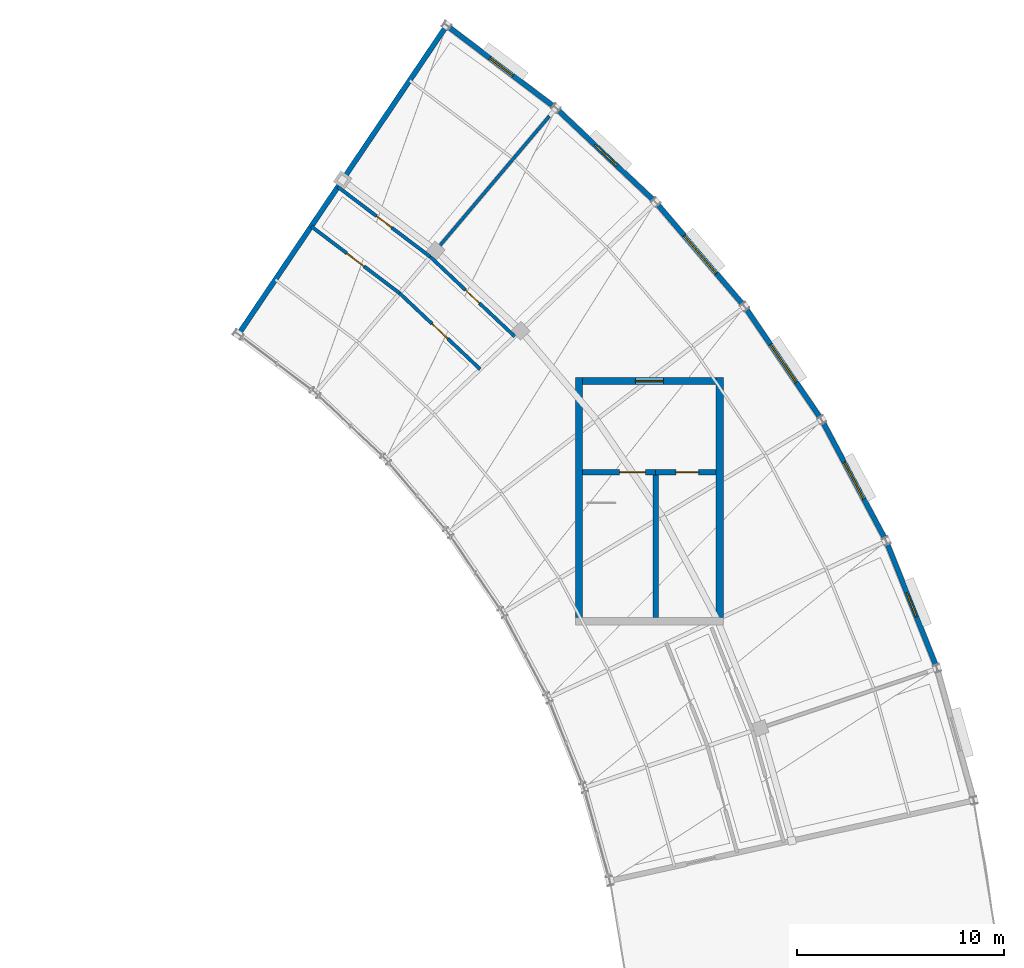
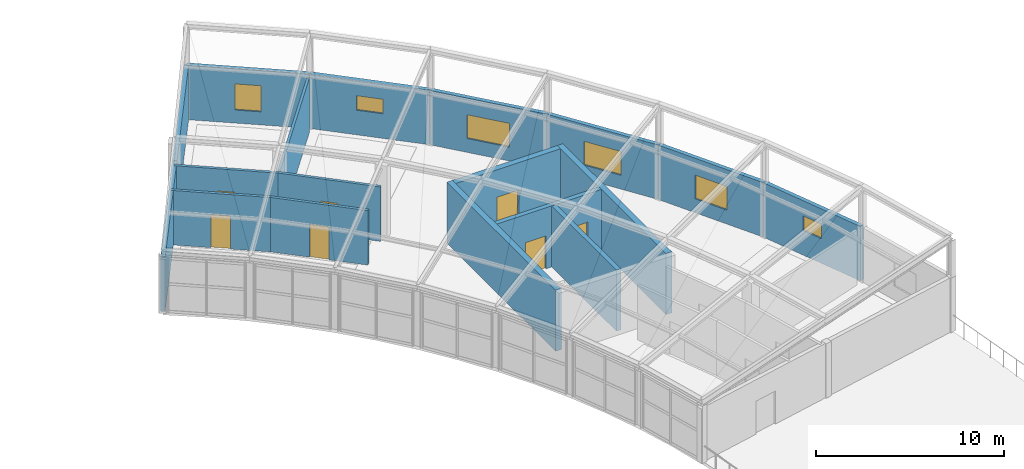
# One storey, part 29 of 36: 19 walls, 7 doors, 6 windows, 13 openings.
"""IFC4 building model written with IfcOpenShell, lengths in metres."""

import ifcopenshell
import ifcopenshell.guid

model = None  # the IFC model being written
_history = None  # IfcOwnerHistory: only IFC2X3 demands one
_inside = {}  # id of a spatial element -> (the spatial element, [elements in it])
_under = {}  # id of a project, library or spatial element -> (it, [spatial elements below it])
_declared = {}  # id of a project -> (the project, [libraries it declares])
_typed = {}  # id of a type object -> (the type object, [elements of that type])
_made_of = {}  # id of a material, layer set ... -> (it, [elements and type objects made of it])


def new_model(schema):
    """Start an empty IFC model of exactly this schema.

    Asked for "IFC4X3", IfcOpenShell would pick the latest addendum, in which some entities
    have other attributes; the version numbers below select the first issue.
    IFC2X3 requires an IfcOwnerHistory on every rooted entity: one is made here for all.
    """
    global model, _history
    if schema == "IFC4X3":
        model = ifcopenshell.file(schema_version=(4, 3, 0, 0))
    else:
        model = ifcopenshell.file(schema=schema)
    _inside.clear()
    _under.clear()
    _declared.clear()
    _typed.clear()
    _made_of.clear()
    _history = None
    if model.schema == "IFC2X3":
        org = make("IfcOrganization", Name="unknown")
        user = make(
            "IfcPersonAndOrganization",
            ThePerson=make("IfcPerson", FamilyName="unknown"),
            TheOrganization=org,
        )
        app = make(
            "IfcApplication",
            ApplicationDeveloper=org,
            Version="unknown",
            ApplicationFullName="unknown",
            ApplicationIdentifier="unknown",
        )
        _history = make(
            "IfcOwnerHistory",
            OwningUser=user,
            OwningApplication=app,
            ChangeAction="ADDED",
            CreationDate=0,
        )
    return model


def make(cls, **values):
    """One entity of the class cls with the attributes given. An attribute that is None is left unset."""
    return model.create_entity(
        cls, **{name: value for name, value in values.items() if value is not None}
    )


def rooted(cls, **values):
    """An entity with a GlobalId (a new one), such as an element, a storey or a relation."""
    return make(cls, GlobalId=ifcopenshell.guid.new(), OwnerHistory=_history, **values)


def si_unit(unit_type, name, prefix=None):
    """IfcSIUnit, for example si_unit("LENGTHUNIT", "METRE", prefix="MILLI")."""
    return make("IfcSIUnit", UnitType=unit_type, Prefix=prefix, Name=name)


def assignment(units):
    """IfcUnitAssignment: the units of a project."""
    return None if units is None else make("IfcUnitAssignment", Units=units)


def point(xyz):
    """IfcCartesianPoint."""
    return None if xyz is None else make("IfcCartesianPoint", Coordinates=xyz)


def direction(xyz):
    """IfcDirection."""
    return None if xyz is None else make("IfcDirection", DirectionRatios=xyz)


def frame(location, z_axis=None, x_axis=None):
    """IfcAxis2Placement3D, a coordinate frame: its origin and axes. An axis left out is left unset."""
    return make(
        "IfcAxis2Placement3D",
        Location=point(location),
        Axis=direction(z_axis),
        RefDirection=direction(x_axis),
    )


def frame_2d(location, x_axis=None):
    """IfcAxis2Placement2D, a coordinate frame in the plane: its origin and x axis."""
    return make(
        "IfcAxis2Placement2D", Location=point(location), RefDirection=direction(x_axis)
    )


def origin():
    """The frame at (0, 0, 0) with its axes left unset."""
    return frame((0.0, 0.0, 0.0))


def place(relative_to, where):
    """IfcLocalPlacement: puts the frame where relative to a parent placement (None: the world)."""
    return make(
        "IfcLocalPlacement", PlacementRelTo=relative_to, RelativePlacement=where
    )


def context(
    kind, dimensions, precision=None, world=None, true_north=None, identifier=None
):
    """IfcGeometricRepresentationContext, for example the 3D "Model" context."""
    return make(
        "IfcGeometricRepresentationContext",
        ContextIdentifier=identifier,
        ContextType=kind,
        CoordinateSpaceDimension=dimensions,
        Precision=precision,
        WorldCoordinateSystem=world,
        TrueNorth=true_north,
    )


def subcontext(parent, identifier, kind, view, scale=None):
    """IfcGeometricRepresentationSubContext, for example "Body" below "Model"."""
    return make(
        "IfcGeometricRepresentationSubContext",
        ContextIdentifier=identifier,
        ContextType=kind,
        ParentContext=parent,
        TargetScale=scale,
        TargetView=view,
    )


def project(units=None, contexts=None):
    """IfcProject with its units and contexts."""
    return rooted(
        "IfcProject",
        Name="project",
        RepresentationContexts=contexts,
        UnitsInContext=assignment(units),
    )


def spatial(cls, under=None, at=None, **own):
    """A site, building, storey or space (cls), placed at a placement, below another one or the project."""
    s = rooted(cls, ObjectPlacement=at, **own)
    if under is not None:
        _under.setdefault(under.id(), (under, []))[1].append(s)
    return s


def profile(cls, at=None, kind="AREA", **sizes):
    """A parametric profile (cls). Its sizes go by their IFC names, for example OverallWidth=200.0."""
    return make(cls, ProfileType=kind, Position=at, **sizes)


def rectangle(**sizes):
    """IfcRectangleProfileDef."""
    return profile("IfcRectangleProfileDef", **sizes)


def extrude(swept, where, along, depth):
    """IfcExtrudedAreaSolid: the profile swept, set in the frame where, extruded along a direction by depth."""
    return make(
        "IfcExtrudedAreaSolid",
        SweptArea=swept,
        Position=where,
        ExtrudedDirection=direction(along),
        Depth=depth,
    )


def shape(context_of_items, identifier, shape_type, items):
    """IfcShapeRepresentation: the items that make up one representation, for example the "Body"."""
    return make(
        "IfcShapeRepresentation",
        ContextOfItems=context_of_items,
        RepresentationIdentifier=identifier,
        RepresentationType=shape_type,
        Items=items,
    )


def material(Name=None, Category=None):
    """IfcMaterial."""
    return make("IfcMaterial", Name=Name, Category=Category)


def layer(
    of_material, thickness, ventilated=None, Name=None, Category=None, Priority=None
):
    """IfcMaterialLayer: one layer of a wall or slab, of a material (None: an air gap)."""
    return make(
        "IfcMaterialLayer",
        Material=of_material,
        LayerThickness=thickness,
        IsVentilated=ventilated,
        Name=Name,
        Category=Category,
        Priority=Priority,
    )


def layer_set(layers, Name=None):
    """IfcMaterialLayerSet."""
    return make("IfcMaterialLayerSet", MaterialLayers=layers, LayerSetName=Name)


def made_of(thing, what):
    """Note that an element or type object is made of a material, layer set ...; save() writes the relation."""
    if what is not None:
        _made_of.setdefault(what.id(), (what, []))[1].append(thing)
    return thing


def type_object(cls, material=None, **own):
    """A type object (cls), such as IfcWallType, which elements share."""
    return made_of(rooted(cls, **own), material)


def element(
    cls,
    number,
    at=None,
    inside=None,
    cuts=None,
    type_object=None,
    material=None,
    context=None,
    identifier="Body",
    shape_type=None,
    held_by="IfcProductDefinitionShape",
    body=None,
    shapes=None,
    **own,
):
    """One element of the class cls, such as IfcWall. Its Tag is "e" and its number.

    at: its placement. inside: the storey or other place that contains it. cuts: it is an
    opening in that element (IfcRelVoidsElement). A single representation is given by context,
    identifier, shape_type and body (its items); several are given by shapes. held_by: the class
    of the entity that holds the representations. save() writes the other relations.
    """
    e = rooted(cls, Tag="e%d" % number, ObjectPlacement=at, **own)
    if body is not None:
        shapes = [shape(context, identifier, shape_type, body)]
    if shapes is not None:
        e.Representation = make(held_by, Representations=shapes)
    if inside is not None:
        _inside.setdefault(inside.id(), (inside, []))[1].append(e)
    if cuts is not None:
        rooted(
            "IfcRelVoidsElement", RelatingBuildingElement=cuts, RelatedOpeningElement=e
        )
    if type_object is not None:
        _typed.setdefault(type_object.id(), (type_object, []))[1].append(e)
    return made_of(e, material)


def fill(opening, filler):
    """IfcRelFillsElement: the door or window that sits in an opening."""
    return rooted(
        "IfcRelFillsElement",
        RelatingOpeningElement=opening,
        RelatedBuildingElement=filler,
    )


def aggregate(whole, parts):
    """IfcRelAggregates: a whole, such as a stair, and the parts it consists of."""
    return rooted("IfcRelAggregates", RelatingObject=whole, RelatedObjects=parts)


def save(model, path):
    """Write the relations noted so far, then the file.

    IfcRelAggregates (storeys below a building ...), IfcRelContainedInSpatialStructure (elements
    in a storey), IfcRelDefinesByType, IfcRelAssociatesMaterial and IfcRelDeclares: one each for
    every whole, place, type object, material and project.
    """
    for whole, parts in _under.values():
        aggregate(whole, parts)
    for where, things in _inside.values():
        rooted(
            "IfcRelContainedInSpatialStructure",
            RelatedElements=things,
            RelatingStructure=where,
        )
    for kind, things in _typed.values():
        rooted("IfcRelDefinesByType", RelatedObjects=things, RelatingType=kind)
    for what, things in _made_of.values():
        rooted("IfcRelAssociatesMaterial", RelatedObjects=things, RelatingMaterial=what)
    for by, libraries in _declared.values():
        rooted("IfcRelDeclares", RelatingContext=by, RelatedDefinitions=libraries)
    model.write(path)


model = new_model("IFC4")

# Units and contexts
model_context = context("Model", 3, precision=1e-05, world=origin(), true_north=direction((0.0, 1.0)))
body_context = subcontext(model_context, "Body", "Model", "MODEL_VIEW")
ifc_project = project(units=[si_unit("LENGTHUNIT", "METRE"), si_unit("AREAUNIT", "SQUARE_METRE"), si_unit("VOLUMEUNIT", "CUBIC_METRE"), si_unit("PLANEANGLEUNIT", "RADIAN"), si_unit("MASSUNIT", "GRAM", prefix="KILO")], contexts=[model_context])

# Site, building, storey
site_placement = place(None, origin())
site = spatial("IfcSite", under=ifc_project, at=site_placement, CompositionType="ELEMENT")
building_placement = place(site_placement, origin())
building = spatial("IfcBuilding", under=site, at=building_placement, Name="Tarnveldt Headland Concert Hall", CompositionType="ELEMENT")
storey_placement = place(building_placement, frame((0.0, 0.0, 22.800048828125)))
storey = spatial("IfcBuildingStorey", under=building, at=storey_placement, Name="L05", CompositionType="ELEMENT", Elevation=22.800048828125)

# Wall, opening, door
ifc_material_1 = material(Name="Concrete C40/50", Category="concrete")
ifc_layer_1 = layer(ifc_material_1, 0.35009765625, Name="Concrete C40/50", Category="concrete")
ifc_layer_set_1 = layer_set([ifc_layer_1], Name="Concrete C40/50")
wall_type_1 = type_object("IfcWallType", Name="WL-CR350", PredefinedType="SHEAR", material=ifc_layer_set_1)
wall_1_placement = place(storey_placement, frame((158.175048828125, 93.39990234375, 0.0), z_axis=(0.0, 0.0, 1.0), x_axis=(1.0, 0.0, 0.0)))
wall_1 = element("IfcWall", 1, at=wall_1_placement, inside=storey, type_object=wall_type_1, Name="Core C3 north shear wall L05", PredefinedType="SHEAR", context=body_context, shape_type="SweptSolid", body=[
    extrude(rectangle(XDim=6.449951171875, YDim=0.35009765625, at=frame_2d((3.22509765625, 0.0))), origin(), (0.0, 0.0, 1.0), 3.97998046875),
])
opening_1_placement = place(wall_1_placement, frame((2.550048828125, 0.0, 0.0)))
opening_1 = element("IfcOpeningElement", 2, at=opening_1_placement, cuts=wall_1, Name="Opening FFD-C3-L05", PredefinedType="OPENING", context=body_context, shape_type="SweptSolid", body=[
    extrude(rectangle(XDim=1.35009765625, YDim=2.199951171875, at=frame_2d((0.675048828125, 1.10009765625))), frame((0.0, 0.18505859375, 0.0), z_axis=(0.0, -1.0, 0.0), x_axis=(1.0, 0.0, 0.0)), (0.0, 0.0, 1.0), 0.3701171875),
])
ifc_material_2 = material(Name="Galvanised painted steel sheet", Category="steel")
door_type_1 = type_object("IfcDoorType", Name="DR-FF135", OperationType="NOTDEFINED", PredefinedType="DOOR", material=ifc_material_2)
door_1_placement = place(opening_1_placement, origin())
door_1 = element("IfcDoor", 3, at=door_1_placement, inside=storey, type_object=door_type_1, Name="Core C3 firefighting lobby entrance door L05", OperationType="SINGLE_SWING_LEFT", OverallHeight=2.199951171875, OverallWidth=1.35009765625, PredefinedType="DOOR", context=body_context, shape_type="SweptSolid", body=[
    extrude(rectangle(XDim=1.35009765625, YDim=2.199951171875, at=frame_2d((0.675048828125, 1.10009765625))), frame((0.0, 0.02490234375, 0.0), z_axis=(0.0, -1.0, 0.0), x_axis=(1.0, 0.0, 0.0)), (0.0, 0.0, 1.0), 0.050048828125),
])
fill(opening_1, door_1)

# Walls
for number, where, z_axis, x_axis, name in (
    (4, (158.0, 81.97509765625, 0.0), (0.0, 0.0, 1.0), (0.0, 1.0, 0.0), "Core C3 west shear wall L05"),
    (5, (164.800048828125, 81.97509765625, 0.0), (0.0, 0.0, 1.0), (0.0, 1.0, 0.0), "Core C3 east shear wall L05"),
):
    element("IfcWall", number, at=place(storey_placement, frame(where, z_axis=z_axis, x_axis=x_axis)), inside=storey, type_object=wall_type_1, Name=name, PredefinedType="SHEAR", context=body_context, shape_type="SweptSolid", body=[
        extrude(rectangle(XDim=11.599853515625, YDim=0.35009765625, at=frame_2d((5.7998046875, 0.0))), origin(), (0.0, 0.0, 1.0), 3.97998046875),
    ])

# Wall, opening, window
ifc_material_3 = material(Name="Coral-toned precast concrete C40/50", Category="concrete")
ifc_layer_2 = layer(ifc_material_3, 0.239990234375, Name="Coral-toned precast concrete C40/50", Category="concrete")
ifc_layer_set_2 = layer_set([ifc_layer_2], Name="Coral-toned precast concrete C40/50")
wall_type_2 = type_object("IfcWallType", Name="WL-EX240", PredefinedType="SOLIDWALL", material=ifc_layer_set_2)
wall_2_placement = place(storey_placement, frame((172.842041015625, 85.65380859375, 0.0), z_axis=(0.0, 0.0, 1.0), x_axis=(0.371013273361, -0.928627563122, 0.0)))
wall_2 = element("IfcWall", 6, at=wall_2_placement, inside=storey, type_object=wall_type_2, Name="External precast wall L05-177", PredefinedType="SOLIDWALL", context=body_context, shape_type="SweptSolid", body=[
    extrude(rectangle(XDim=6.5810546875, YDim=0.239990234375, at=frame_2d((3.29052734375, 0.0))), origin(), (0.0, 0.0, 1.0), 3.54296875),
])
opening_2_placement = place(wall_2_placement, frame((2.66552734375, 0.0, 1.60009765625)))
opening_2 = element("IfcOpeningElement", 7, at=opening_2_placement, cuts=wall_2, Name="Opening W-C091", PredefinedType="OPENING", context=body_context, shape_type="SweptSolid", body=[
    extrude(rectangle(XDim=1.25, YDim=0.949951171875, at=frame_2d((0.625, 0.47509765625))), frame((0.0, 0.1298828125, 0.0), z_axis=(0.0, -1.0, 0.0), x_axis=(1.0, 0.0, 0.0)), (0.0, 0.0, 1.0), 0.260009765625),
])
ifc_material_4 = material(Name="Acoustic laminated low-iron double glazing", Category="glass")
window_type_1 = type_object("IfcWindowType", Name="WN-29", PartitioningType="SINGLE_PANEL", PredefinedType="WINDOW", material=ifc_material_4)
window_1_placement = place(opening_2_placement, origin())
window_1 = element("IfcWindow", 8, at=window_1_placement, inside=storey, type_object=window_type_1, Name="Crescent coastal studio window L05-13", OverallHeight=0.949951171875, OverallWidth=1.25, PartitioningType="SINGLE_PANEL", PredefinedType="WINDOW", context=body_context, shape_type="SweptSolid", body=[
    extrude(rectangle(XDim=1.25, YDim=0.949951171875, at=frame_2d((0.625, 0.47509765625))), frame((0.0, 0.030029296875, 0.0), z_axis=(0.0, -1.0, 0.0), x_axis=(1.0, 0.0, 0.0)), (0.0, 0.0, 1.0), 0.06005859375),
])
fill(opening_2, window_1)

wall_3_placement = place(storey_placement, frame((169.735595703125, 91.5009765625, 0.0), z_axis=(0.0, 0.0, 1.0), x_axis=(0.469465310576, -0.882950917189, 0.0)))
wall_3 = element("IfcWall", 9, at=wall_3_placement, inside=storey, type_object=wall_type_2, Name="External precast wall L05-178", PredefinedType="SOLIDWALL", context=body_context, shape_type="SweptSolid", body=[
    extrude(rectangle(XDim=6.5810546875, YDim=0.239990234375, at=frame_2d((3.29052734375, 0.0))), origin(), (0.0, 0.0, 1.0), 3.54296875),
])
opening_3_placement = place(wall_3_placement, frame((2.29052734375, 0.0, 0.89990234375)))
opening_3 = element("IfcOpeningElement", 10, at=opening_3_placement, cuts=wall_3, Name="Opening W-C092", PredefinedType="OPENING", context=body_context, shape_type="SweptSolid", body=[
    extrude(rectangle(XDim=2.0, YDim=1.550048828125, at=frame_2d((1.0, 0.77490234375))), frame((0.0, 0.1298828125, 0.0), z_axis=(0.0, -1.0, 0.0), x_axis=(1.0, 0.0, 0.0)), (0.0, 0.0, 1.0), 0.260009765625),
])
window_type_2 = type_object("IfcWindowType", Name="WN-06", PartitioningType="SINGLE_PANEL", PredefinedType="WINDOW", material=ifc_material_4)
window_2_placement = place(opening_3_placement, origin())
window_2 = element("IfcWindow", 11, at=window_2_placement, inside=storey, type_object=window_type_2, Name="Crescent coastal studio window L05-14", OverallHeight=1.550048828125, OverallWidth=2.0, PartitioningType="SINGLE_PANEL", PredefinedType="WINDOW", context=body_context, shape_type="SweptSolid", body=[
    extrude(rectangle(XDim=2.0, YDim=1.550048828125, at=frame_2d((1.0, 0.77490234375))), frame((0.0, 0.030029296875, 0.0), z_axis=(0.0, -1.0, 0.0), x_axis=(1.0, 0.0, 0.0)), (0.0, 0.0, 1.0), 0.06005859375),
])
fill(opening_3, window_2)

wall_4_placement = place(storey_placement, frame((166.013671875, 96.97705078125, 0.0), z_axis=(0.0, 0.0, 1.0), x_axis=(0.56240640933, -0.826860950067, 0.0)))
wall_4 = element("IfcWall", 12, at=wall_4_placement, inside=storey, type_object=wall_type_2, Name="External precast wall L05-179", PredefinedType="SOLIDWALL", context=body_context, shape_type="SweptSolid", body=[
    extrude(rectangle(XDim=6.581298828125, YDim=0.239990234375, at=frame_2d((3.29052734375, 0.0))), origin(), (0.0, 0.0, 1.0), 3.54296875),
])
opening_4_placement = place(wall_4_placement, frame((2.190673828125, 0.0, 0.89990234375)))
opening_4 = element("IfcOpeningElement", 13, at=opening_4_placement, cuts=wall_4, Name="Opening W-C093", PredefinedType="OPENING", context=body_context, shape_type="SweptSolid", body=[
    extrude(rectangle(XDim=2.199951171875, YDim=1.550048828125, at=frame_2d((1.10009765625, 0.77490234375))), frame((0.0, 0.1298828125, 0.0), z_axis=(0.0, -1.0, 0.0), x_axis=(1.0, 0.0, 0.0)), (0.0, 0.0, 1.0), 0.260009765625),
])
window_type_3 = type_object("IfcWindowType", Name="WN-07", PartitioningType="SINGLE_PANEL", PredefinedType="WINDOW", material=ifc_material_4)
window_3_placement = place(opening_4_placement, origin())
window_3 = element("IfcWindow", 14, at=window_3_placement, inside=storey, type_object=window_type_3, Name="Crescent coastal studio window L05-15", OverallHeight=1.550048828125, OverallWidth=2.199951171875, PartitioningType="SINGLE_PANEL", PredefinedType="WINDOW", context=body_context, shape_type="SweptSolid", body=[
    extrude(rectangle(XDim=2.199951171875, YDim=1.550048828125, at=frame_2d((1.10009765625, 0.77490234375))), frame((0.0, 0.030029296875, 0.0), z_axis=(0.0, -1.0, 0.0), x_axis=(1.0, 0.0, 0.0)), (0.0, 0.0, 1.0), 0.06005859375),
])
fill(opening_4, window_3)

wall_5_placement = place(storey_placement, frame((161.72021484375, 102.017333984375, 0.0), z_axis=(0.0, 0.0, 1.0), x_axis=(0.648708464949, -0.761037007973, 0.0)))
wall_5 = element("IfcWall", 15, at=wall_5_placement, inside=storey, type_object=wall_type_2, Name="External precast wall L05-180", PredefinedType="SOLIDWALL", context=body_context, shape_type="SweptSolid", body=[
    extrude(rectangle(XDim=6.581298828125, YDim=0.239990234375, at=frame_2d((3.29052734375, 0.0))), origin(), (0.0, 0.0, 1.0), 3.54296875),
])
opening_5_placement = place(wall_5_placement, frame((2.090576171875, 0.0, 0.89990234375)))
opening_5 = element("IfcOpeningElement", 16, at=opening_5_placement, cuts=wall_5, Name="Opening W-C094", PredefinedType="OPENING", context=body_context, shape_type="SweptSolid", body=[
    extrude(rectangle(XDim=2.39990234375, YDim=1.550048828125, at=frame_2d((1.199951171875, 0.77490234375))), frame((0.0, 0.1298828125, 0.0), z_axis=(0.0, -1.0, 0.0), x_axis=(1.0, 0.0, 0.0)), (0.0, 0.0, 1.0), 0.260009765625),
])
window_type_4 = type_object("IfcWindowType", Name="WN-08", PartitioningType="SINGLE_PANEL", PredefinedType="WINDOW", material=ifc_material_4)
window_4_placement = place(opening_5_placement, origin())
window_4 = element("IfcWindow", 17, at=window_4_placement, inside=storey, type_object=window_type_4, Name="Crescent coastal studio window L05-16", OverallHeight=1.550048828125, OverallWidth=2.39990234375, PartitioningType="SINGLE_PANEL", PredefinedType="WINDOW", context=body_context, shape_type="SweptSolid", body=[
    extrude(rectangle(XDim=2.39990234375, YDim=1.550048828125, at=frame_2d((1.199951171875, 0.77490234375))), frame((0.0, 0.030029296875, 0.0), z_axis=(0.0, -1.0, 0.0), x_axis=(1.0, 0.0, 0.0)), (0.0, 0.0, 1.0), 0.06005859375),
])
fill(opening_5, window_4)

wall_6_placement = place(storey_placement, frame((156.905517578125, 106.5625, 0.0), z_axis=(0.0, 0.0, 1.0), x_axis=(0.727377231984, -0.686237832235, 0.0)))
wall_6 = element("IfcWall", 18, at=wall_6_placement, inside=storey, type_object=wall_type_2, Name="External precast wall L05-181", PredefinedType="SOLIDWALL", context=body_context, shape_type="SweptSolid", body=[
    extrude(rectangle(XDim=6.581298828125, YDim=0.239990234375, at=frame_2d((3.29052734375, 0.0))), origin(), (0.0, 0.0, 1.0), 3.54296875),
])
opening_6_placement = place(wall_6_placement, frame((2.565673828125, 0.0, 1.60009765625)))
opening_6 = element("IfcOpeningElement", 19, at=opening_6_placement, cuts=wall_6, Name="Opening W-C095", PredefinedType="OPENING", context=body_context, shape_type="SweptSolid", body=[
    extrude(rectangle(XDim=1.449951171875, YDim=0.949951171875, at=frame_2d((0.72509765625, 0.47509765625))), frame((0.0, 0.1298828125, 0.0), z_axis=(0.0, -1.0, 0.0), x_axis=(1.0, 0.0, 0.0)), (0.0, 0.0, 1.0), 0.260009765625),
])
window_type_5 = type_object("IfcWindowType", Name="WN-30", PartitioningType="SINGLE_PANEL", PredefinedType="WINDOW", material=ifc_material_4)
window_5_placement = place(opening_6_placement, origin())
window_5 = element("IfcWindow", 20, at=window_5_placement, inside=storey, type_object=window_type_5, Name="Crescent coastal studio window L05-17", OverallHeight=0.949951171875, OverallWidth=1.449951171875, PartitioningType="SINGLE_PANEL", PredefinedType="WINDOW", context=body_context, shape_type="SweptSolid", body=[
    extrude(rectangle(XDim=1.449951171875, YDim=0.949951171875, at=frame_2d((0.72509765625, 0.47509765625))), frame((0.0, 0.030029296875, 0.0), z_axis=(0.0, -1.0, 0.0), x_axis=(1.0, 0.0, 0.0)), (0.0, 0.0, 1.0), 0.06005859375),
])
fill(opening_6, window_5)

wall_7_placement = place(storey_placement, frame((151.626708984375, 110.55908203125, 0.0), z_axis=(0.0, 0.0, 1.0), x_axis=(0.797477783019, -0.603348311998, 0.0)))
wall_7 = element("IfcWall", 21, at=wall_7_placement, inside=storey, type_object=wall_type_2, Name="External precast wall L05-182", PredefinedType="SOLIDWALL", context=body_context, shape_type="SweptSolid", body=[
    extrude(rectangle(XDim=6.5810546875, YDim=0.239990234375, at=frame_2d((3.29052734375, 0.0))), origin(), (0.0, 0.0, 1.0), 3.537841796875),
])
opening_7_placement = place(wall_7_placement, frame((2.590576171875, 0.0, 0.85009765625)))
opening_7 = element("IfcOpeningElement", 22, at=opening_7_placement, cuts=wall_7, Name="Opening W-C096", PredefinedType="OPENING", context=body_context, shape_type="SweptSolid", body=[
    extrude(rectangle(XDim=1.39990234375, YDim=1.699951171875, at=frame_2d((0.699951171875, 0.85009765625))), frame((0.0, 0.1298828125, 0.0), z_axis=(0.0, -1.0, 0.0), x_axis=(1.0, 0.0, 0.0)), (0.0, 0.0, 1.0), 0.260009765625),
])
window_type_6 = type_object("IfcWindowType", Name="WN-10", PartitioningType="SINGLE_PANEL", PredefinedType="WINDOW", material=ifc_material_4)
window_6_placement = place(opening_7_placement, origin())
window_6 = element("IfcWindow", 23, at=window_6_placement, inside=storey, type_object=window_type_6, Name="Crescent coastal studio window L05-18", OverallHeight=1.699951171875, OverallWidth=1.39990234375, PartitioningType="SINGLE_PANEL", PredefinedType="WINDOW", context=body_context, shape_type="SweptSolid", body=[
    extrude(rectangle(XDim=1.39990234375, YDim=1.699951171875, at=frame_2d((0.699951171875, 0.85009765625))), frame((0.0, 0.030029296875, 0.0), z_axis=(0.0, -1.0, 0.0), x_axis=(1.0, 0.0, 0.0)), (0.0, 0.0, 1.0), 0.06005859375),
])
fill(opening_7, window_6)

# Walls
ifc_layer_3 = layer(ifc_material_3, 0.25, Name="Coral-toned precast concrete C40/50", Category="concrete")
ifc_layer_set_3 = layer_set([ifc_layer_3], Name="Coral-toned precast concrete C40/50")
wall_type_3 = type_object("IfcWallType", Name="WL-EX250", PredefinedType="SOLIDWALL", material=ifc_layer_set_3)
wall_8_placement = place(storey_placement, frame((141.556396484375, 95.665283203125, 0.0), z_axis=(0.0, 0.0, 1.0), x_axis=(0.559200466777, 0.829032470991, 0.0)))
element("IfcWall", 24, at=wall_8_placement, inside=storey, type_object=wall_type_3, Name="External precast wall L05-185", PredefinedType="SOLIDWALL", context=body_context, shape_type="SweptSolid", body=[
    extrude(rectangle(XDim=8.960205078125, YDim=0.25, at=frame_2d((4.47998046875, 0.0))), origin(), (0.0, 0.0, 1.0), 3.537841796875),
])
wall_9_placement = place(storey_placement, frame((146.589111328125, 103.126708984375, 0.0), z_axis=(0.0, 0.0, 1.0), x_axis=(0.559213098812, 0.829023950268, 0.0)))
element("IfcWall", 25, at=wall_9_placement, inside=storey, type_object=wall_type_3, Name="External precast wall L05-186", PredefinedType="SOLIDWALL", context=body_context, shape_type="SweptSolid", body=[
    extrude(rectangle(XDim=8.9599609375, YDim=0.25, at=frame_2d((4.47998046875, 0.0))), origin(), (0.0, 0.0, 1.0), 3.537841796875),
])
ifc_material_5 = material(Name="Acoustic multi-layer gypsum and mineral-wool partition", Category="gypsum")
ifc_layer_4 = layer(ifc_material_5, 0.14990234375, Name="Acoustic multi-layer gypsum and mineral-wool partition", Category="gypsum")
ifc_layer_set_4 = layer_set([ifc_layer_4], Name="Acoustic multi-layer gypsum and mineral-wool partition")
wall_type_4 = type_object("IfcWallType", Name="WL-PT150", PredefinedType="PARTITIONING", material=ifc_layer_set_4)
wall_10_placement = place(storey_placement, frame((150.9501953125, 99.5517578125, 0.0), z_axis=(0.0, 0.0, 1.0), x_axis=(0.645745976221, 0.763552312677, 0.0)))
element("IfcWall", 26, at=wall_10_placement, inside=storey, type_object=wall_type_4, Name="Interior acoustic partition L05-237", PredefinedType="PARTITIONING", context=body_context, shape_type="SweptSolid", body=[
    extrude(rectangle(XDim=8.699951171875, YDim=0.14990234375, at=frame_2d((4.35009765625, 0.0))), origin(), (0.0, 0.0, 1.0), 3.544921875),
])

# Wall, opening, door
ifc_layer_5 = layer(ifc_material_5, 0.1650390625, Name="Acoustic multi-layer gypsum and mineral-wool partition", Category="gypsum")
ifc_layer_set_5 = layer_set([ifc_layer_5], Name="Acoustic multi-layer gypsum and mineral-wool partition")
wall_type_5 = type_object("IfcWallType", Name="WL-PT165", PredefinedType="PARTITIONING", material=ifc_layer_set_5)
wall_11_placement = place(storey_placement, frame((153.22802734375, 93.970458984375, 0.0), z_axis=(0.0, 0.0, 1.0), x_axis=(-0.7273609966, 0.68625504051, 0.0)))
wall_11 = element("IfcWall", 27, at=wall_11_placement, inside=storey, type_object=wall_type_5, Name="Interior acoustic partition L05-233", PredefinedType="PARTITIONING", context=body_context, shape_type="SweptSolid", body=[
    extrude(rectangle(XDim=5.351318359375, YDim=0.1650390625, at=frame_2d((2.67578125, 0.0))), origin(), (0.0, 0.0, 1.0), 3.544921875),
])
opening_8_placement = place(wall_11_placement, frame((2.150634765625, 0.0, 0.0)))
opening_8 = element("IfcOpeningElement", 28, at=opening_8_placement, cuts=wall_11, Name="Opening D-L05-231", PredefinedType="OPENING", context=body_context, shape_type="SweptSolid", body=[
    extrude(rectangle(XDim=1.050048828125, YDim=2.14990234375, at=frame_2d((0.52490234375, 1.074951171875))), frame((0.0, 0.092529296875, 0.0), z_axis=(0.0, -1.0, 0.0), x_axis=(1.0, 0.0, 0.0)), (0.0, 0.0, 1.0), 0.18505859375),
])
ifc_material_6 = material(Name="Treated East African mvule hardwood", Category="wood")
door_type_2 = type_object("IfcDoorType", Name="DR-RM105", OperationType="NOTDEFINED", PredefinedType="DOOR", material=ifc_material_6)
door_2_placement = place(opening_8_placement, origin())
door_2 = element("IfcDoor", 29, at=door_2_placement, inside=storey, type_object=door_type_2, Name="Interior room door L05-231", OperationType="SINGLE_SWING_LEFT", OverallHeight=2.14990234375, OverallWidth=1.050048828125, PredefinedType="DOOR", context=body_context, shape_type="SweptSolid", body=[
    extrude(rectangle(XDim=1.050048828125, YDim=2.14990234375, at=frame_2d((0.52490234375, 1.074951171875))), frame((0.0, 0.02490234375, 0.0), z_axis=(0.0, -1.0, 0.0), x_axis=(1.0, 0.0, 0.0)), (0.0, 0.0, 1.0), 0.050048828125),
])
fill(opening_8, door_2)

wall_12_placement = place(storey_placement, frame((154.89501953125, 95.555419921875, 0.0), z_axis=(0.0, 0.0, 1.0), x_axis=(-0.727402273239, 0.686211288807, 0.0)))
wall_12 = element("IfcWall", 30, at=wall_12_placement, inside=storey, type_object=wall_type_5, Name="Interior acoustic partition L05-234", PredefinedType="PARTITIONING", context=body_context, shape_type="SweptSolid", body=[
    extrude(rectangle(XDim=5.60107421875, YDim=0.1650390625, at=frame_2d((2.800537109375, 0.0))), origin(), (0.0, 0.0, 1.0), 3.544921875),
])
opening_9_placement = place(wall_12_placement, frame((2.340576171875, 0.0, 0.0)))
opening_9 = element("IfcOpeningElement", 31, at=opening_9_placement, cuts=wall_12, Name="Opening D-L05-232", PredefinedType="OPENING", context=body_context, shape_type="SweptSolid", body=[
    extrude(rectangle(XDim=0.919921875, YDim=2.10009765625, at=frame_2d((0.4599609375, 1.050048828125))), frame((0.0, 0.092529296875, 0.0), z_axis=(0.0, -1.0, 0.0), x_axis=(1.0, 0.0, 0.0)), (0.0, 0.0, 1.0), 0.18505859375),
])
door_type_3 = type_object("IfcDoorType", Name="DR-WC092", OperationType="NOTDEFINED", PredefinedType="DOOR", material=ifc_material_6)
door_3_placement = place(opening_9_placement, origin())
door_3 = element("IfcDoor", 32, at=door_3_placement, inside=storey, type_object=door_type_3, Name="Interior room door L05-232", OperationType="SINGLE_SWING_RIGHT", OverallHeight=2.10009765625, OverallWidth=0.919921875, PredefinedType="DOOR", context=body_context, shape_type="SweptSolid", body=[
    extrude(rectangle(XDim=0.919921875, YDim=2.10009765625, at=frame_2d((0.4599609375, 1.050048828125))), frame((0.0, 0.02490234375, 0.0), z_axis=(0.0, -1.0, 0.0), x_axis=(1.0, 0.0, 0.0)), (0.0, 0.0, 1.0), 0.050048828125),
])
fill(opening_9, door_3)

wall_13_placement = place(storey_placement, frame((149.335693359375, 97.642822265625, 0.0), z_axis=(0.0, 0.0, 1.0), x_axis=(-0.797474612376, 0.603352502784, 0.0)))
wall_13 = element("IfcWall", 33, at=wall_13_placement, inside=storey, type_object=wall_type_5, Name="Interior acoustic partition L05-235", PredefinedType="PARTITIONING", context=body_context, shape_type="SweptSolid", body=[
    extrude(rectangle(XDim=5.351318359375, YDim=0.1650390625, at=frame_2d((2.67578125, 0.0))), origin(), (0.0, 0.0, 1.0), 3.5400390625),
])
opening_10_placement = place(wall_13_placement, frame((2.150634765625, 0.0, 0.0)))
opening_10 = element("IfcOpeningElement", 34, at=opening_10_placement, cuts=wall_13, Name="Opening D-L05-233", PredefinedType="OPENING", context=body_context, shape_type="SweptSolid", body=[
    extrude(rectangle(XDim=1.050048828125, YDim=2.14990234375, at=frame_2d((0.52490234375, 1.074951171875))), frame((0.0, 0.092529296875, 0.0), z_axis=(0.0, -1.0, 0.0), x_axis=(1.0, 0.0, 0.0)), (0.0, 0.0, 1.0), 0.18505859375),
])
door_4_placement = place(opening_10_placement, origin())
door_4 = element("IfcDoor", 35, at=door_4_placement, inside=storey, type_object=door_type_2, Name="Interior room door L05-233", OperationType="SINGLE_SWING_LEFT", OverallHeight=2.14990234375, OverallWidth=1.050048828125, PredefinedType="DOOR", context=body_context, shape_type="SweptSolid", body=[
    extrude(rectangle(XDim=1.050048828125, YDim=2.14990234375, at=frame_2d((0.52490234375, 1.074951171875))), frame((0.0, 0.02490234375, 0.0), z_axis=(0.0, -1.0, 0.0), x_axis=(1.0, 0.0, 0.0)), (0.0, 0.0, 1.0), 0.050048828125),
])
fill(opening_10, door_4)

wall_14_placement = place(storey_placement, frame((150.82080078125, 99.39892578125, 0.0), z_axis=(0.0, 0.0, 1.0), x_axis=(-0.797450601932, 0.603384237015, 0.0)))
wall_14 = element("IfcWall", 36, at=wall_14_placement, inside=storey, type_object=wall_type_5, Name="Interior acoustic partition L05-236", PredefinedType="PARTITIONING", context=body_context, shape_type="SweptSolid", body=[
    extrude(rectangle(XDim=5.600830078125, YDim=0.1650390625, at=frame_2d((2.80029296875, 0.0))), origin(), (0.0, 0.0, 1.0), 3.5400390625),
])
opening_11_placement = place(wall_14_placement, frame((2.34033203125, 0.0, 0.0)))
opening_11 = element("IfcOpeningElement", 37, at=opening_11_placement, cuts=wall_14, Name="Opening D-L05-234", PredefinedType="OPENING", context=body_context, shape_type="SweptSolid", body=[
    extrude(rectangle(XDim=0.919921875, YDim=2.10009765625, at=frame_2d((0.4599609375, 1.050048828125))), frame((0.0, 0.092529296875, 0.0), z_axis=(0.0, -1.0, 0.0), x_axis=(1.0, 0.0, 0.0)), (0.0, 0.0, 1.0), 0.18505859375),
])
door_5_placement = place(opening_11_placement, origin())
door_5 = element("IfcDoor", 38, at=door_5_placement, inside=storey, type_object=door_type_3, Name="Interior room door L05-234", OperationType="SINGLE_SWING_RIGHT", OverallHeight=2.10009765625, OverallWidth=0.919921875, PredefinedType="DOOR", context=body_context, shape_type="SweptSolid", body=[
    extrude(rectangle(XDim=0.919921875, YDim=2.10009765625, at=frame_2d((0.4599609375, 1.050048828125))), frame((0.0, 0.02490234375, 0.0), z_axis=(0.0, -1.0, 0.0), x_axis=(1.0, 0.0, 0.0)), (0.0, 0.0, 1.0), 0.050048828125),
])
fill(opening_11, door_5)

# Wall
ifc_layer_6 = layer(ifc_material_1, 0.27490234375, Name="Concrete C40/50", Category="concrete")
ifc_layer_set_6 = layer_set([ifc_layer_6], Name="Concrete C40/50")
wall_type_6 = type_object("IfcWallType", Name="WL-SH275", PredefinedType="SHEAR", material=ifc_layer_set_6)
wall_15_placement = place(storey_placement, frame((161.699951171875, 81.97509765625, 0.0), z_axis=(0.0, 0.0, 1.0), x_axis=(0.0, 1.0, 0.0)))
element("IfcWall", 39, at=wall_15_placement, inside=storey, type_object=wall_type_6, Name="Core C3 shaft divider wall L05", PredefinedType="SHEAR", context=body_context, shape_type="SweptSolid", body=[
    extrude(rectangle(XDim=6.887451171875, YDim=0.27490234375, at=frame_2d((3.44384765625, 0.0))), origin(), (0.0, 0.0, 1.0), 3.97998046875),
])

# Wall, opening, door
wall_16_placement = place(storey_placement, frame((158.175048828125, 89.0, 0.0), z_axis=(0.0, 0.0, 1.0), x_axis=(1.0, 0.0, 0.0)))
wall_16 = element("IfcWall", 40, at=wall_16_placement, inside=storey, type_object=wall_type_6, Name="Core C3 stair enclosure wall L05", PredefinedType="SHEAR", context=body_context, shape_type="SweptSolid", body=[
    extrude(rectangle(XDim=3.52490234375, YDim=0.27490234375, at=frame_2d((1.762451171875, 0.0))), origin(), (0.0, 0.0, 1.0), 3.97998046875),
])
opening_12_placement = place(wall_16_placement, frame((1.784912109375, 0.0, 0.0)))
opening_12 = element("IfcOpeningElement", 41, at=opening_12_placement, cuts=wall_16, Name="Opening SD-C3-L05", PredefinedType="OPENING", context=body_context, shape_type="SweptSolid", body=[
    extrude(rectangle(XDim=1.25, YDim=2.14990234375, at=frame_2d((0.625, 1.074951171875))), frame((0.0, 0.1474609375, 0.0), z_axis=(0.0, -1.0, 0.0), x_axis=(1.0, 0.0, 0.0)), (0.0, 0.0, 1.0), 0.294921875),
])
door_type_4 = type_object("IfcDoorType", Name="DR-ST125", OperationType="NOTDEFINED", PredefinedType="DOOR", material=ifc_material_2)
door_6_placement = place(opening_12_placement, origin())
door_6 = element("IfcDoor", 42, at=door_6_placement, inside=storey, type_object=door_type_4, Name="Core C3 stair fire door L05", OperationType="SINGLE_SWING_RIGHT", OverallHeight=2.14990234375, OverallWidth=1.25, PredefinedType="DOOR", context=body_context, shape_type="SweptSolid", body=[
    extrude(rectangle(XDim=1.25, YDim=2.14990234375, at=frame_2d((0.625, 1.074951171875))), frame((0.0, 0.02490234375, 0.0), z_axis=(0.0, -1.0, 0.0), x_axis=(1.0, 0.0, 0.0)), (0.0, 0.0, 1.0), 0.050048828125),
])
fill(opening_12, door_6)

wall_17_placement = place(storey_placement, frame((161.699951171875, 89.0, 0.0), z_axis=(0.0, 0.0, 1.0), x_axis=(1.0, 0.0, 0.0)))
wall_17 = element("IfcWall", 43, at=wall_17_placement, inside=storey, type_object=wall_type_6, Name="Core C3 lift shaft front wall L05", PredefinedType="SHEAR", context=body_context, shape_type="SweptSolid", body=[
    extrude(rectangle(XDim=2.925048828125, YDim=0.27490234375, at=frame_2d((1.46240234375, 0.0))), origin(), (0.0, 0.0, 1.0), 3.97998046875),
])
opening_13_placement = place(wall_17_placement, frame((0.982421875, 0.0, 0.0)))
opening_13 = element("IfcOpeningElement", 44, at=opening_13_placement, cuts=wall_17, Name="Opening LD-FFL-02-L05", PredefinedType="OPENING", context=body_context, shape_type="SweptSolid", body=[
    extrude(rectangle(XDim=1.10009765625, YDim=2.14990234375, at=frame_2d((0.550048828125, 1.074951171875))), frame((0.0, 0.1474609375, 0.0), z_axis=(0.0, -1.0, 0.0), x_axis=(1.0, 0.0, 0.0)), (0.0, 0.0, 1.0), 0.294921875),
])
door_type_5 = type_object("IfcDoorType", Name="LD-110", OperationType="NOTDEFINED", PredefinedType="DOOR", material=ifc_material_2)
door_7_placement = place(opening_13_placement, origin())
door_7 = element("IfcDoor", 45, at=door_7_placement, inside=storey, type_object=door_type_5, Name="Lift FFL-02 sliding landing door L05", OperationType="DOUBLE_DOOR_SLIDING", OverallHeight=2.14990234375, OverallWidth=1.10009765625, PredefinedType="DOOR", context=body_context, shape_type="SweptSolid", body=[
    extrude(rectangle(XDim=1.10009765625, YDim=2.14990234375, at=frame_2d((0.550048828125, 1.074951171875))), frame((0.0, 0.02490234375, 0.0), z_axis=(0.0, -1.0, 0.0), x_axis=(1.0, 0.0, 0.0)), (0.0, 0.0, 1.0), 0.050048828125),
])
fill(opening_13, door_7)

save(model, "model.ifc")
